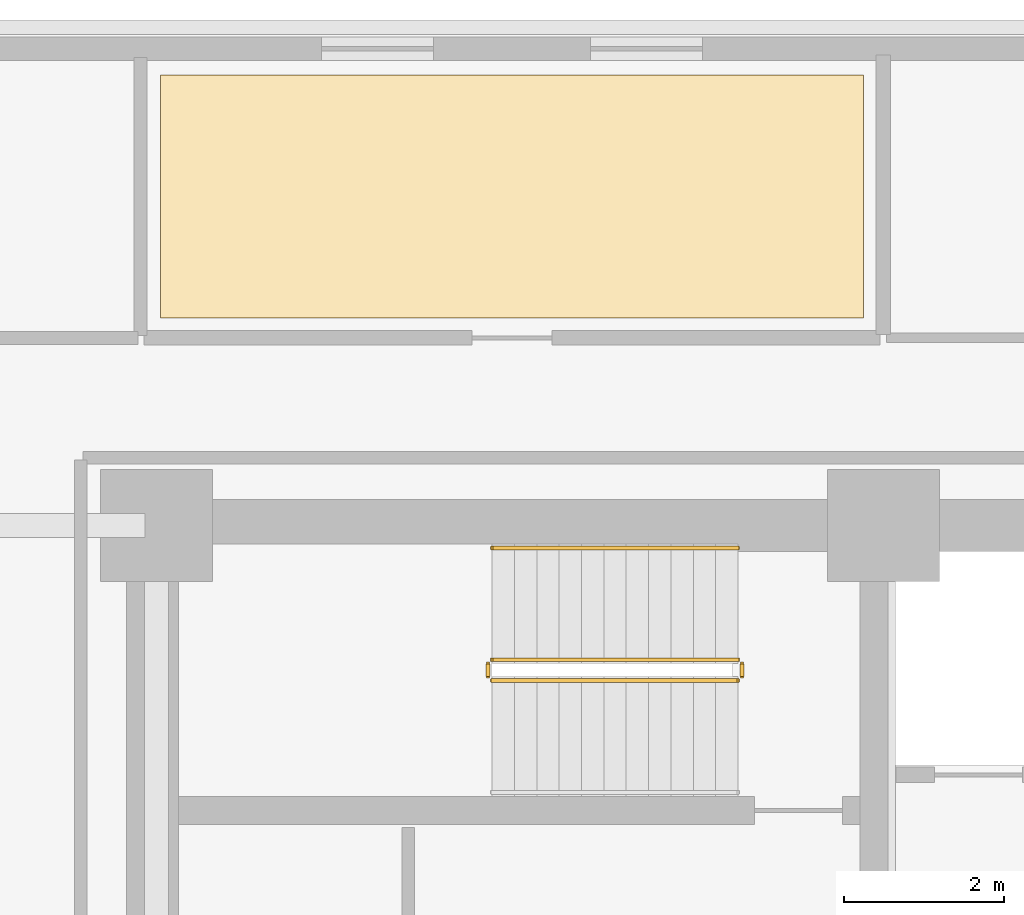
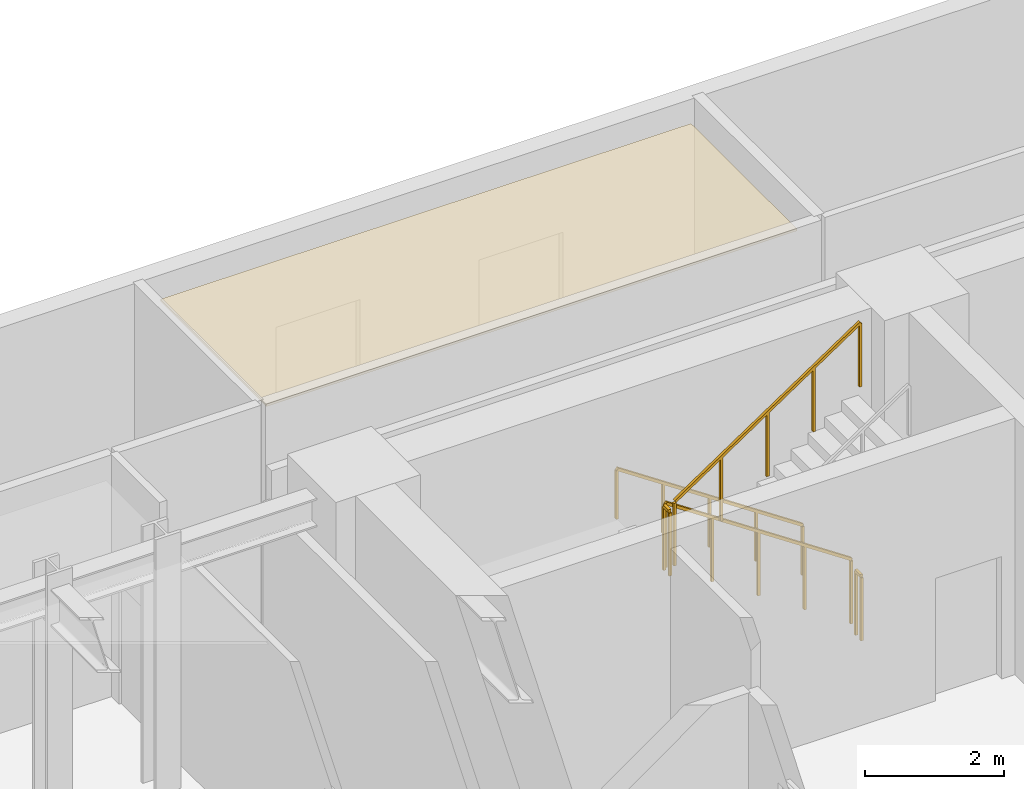
# One storey, part 13 of 14: 5 railings, 1 covering.
"""IFC4 building model written with IfcOpenShell, lengths in metres."""

from ifc_helpers import new_model, si_unit, direction, frame, origin, origin_2d, place, context, subcontext, project, spatial, polyline, rectangle, outline, extrude, material, layer, layer_set, type_object, element, save


model = new_model("IFC4")

# Units and contexts
model_context = context("Model", 3, precision=1e-05, world=origin(), true_north=direction((0.0, 1.0)))
body_context = subcontext(model_context, "Body", "Model", "MODEL_VIEW")
ifc_project = project(units=[si_unit("LENGTHUNIT", "METRE"), si_unit("AREAUNIT", "SQUARE_METRE"), si_unit("VOLUMEUNIT", "CUBIC_METRE"), si_unit("PLANEANGLEUNIT", "RADIAN"), si_unit("MASSUNIT", "GRAM", prefix="KILO")], contexts=[model_context])

# Site, building, storey
site_placement = place(None, origin())
site = spatial("IfcSite", under=ifc_project, at=site_placement, CompositionType="ELEMENT")
building_placement = place(site_placement, origin())
building = spatial("IfcBuilding", under=site, at=building_placement, Name="Zarnavel Station Tower", CompositionType="ELEMENT")
storey_placement = place(building_placement, frame((0.0, 0.0, 89.800048828125)))
storey = spatial("IfcBuildingStorey", under=building, at=storey_placement, Name="L24", CompositionType="ELEMENT", Elevation=89.800048828125)

# Covering
ifc_material_1 = material(Name="Perforated Gypsum and Mineral-Wool Acoustic Ceiling", Category="concrete")
ifc_layer = layer(ifc_material_1, 0.0400390625)
ifc_layer_set = layer_set([ifc_layer], Name="COV_CEIL_ACOUSTIC")
covering_type = type_object("IfcCoveringType", Name="COV_CEIL_ACOUSTIC", PredefinedType="CEILING", material=ifc_layer_set)
covering_placement = place(storey_placement, frame((0.0, 0.0, 3.919921875)))
element("IfcCovering", 1, at=covering_placement, inside=storey, type_object=covering_type, Name="L24 SLNP Acoustic Ceiling", PredefinedType="CEILING", context=body_context, shape_type="SweptSolid", body=[
    extrude(outline(polyline([(12.25, 39.64990234375), (21.050048828125, 39.64990234375), (21.050048828125, 42.68994140625), (12.25, 42.68994140625), (12.25, 39.64990234375)])), origin(), (0.0, 0.0, 1.0), 0.0400390625),
])

# Railings
ifc_material_2 = material(Name="Painted Steel S355J2 Balustrade", Category="steel")
railing_type_1 = type_object("IfcRailingType", Name="GR_INT_1150", PredefinedType="GUARDRAIL", material=ifc_material_2)
railing_1_placement = place(storey_placement, frame((19.47998046875, 35.3701171875, 0.1875)))
element("IfcRailing", 2, at=railing_1_placement, inside=storey, type_object=railing_type_1, Name="L24 ST1 stair guard 1", PredefinedType="GUARDRAIL", context=body_context, shape_type="SweptSolid", body=[
    extrude(rectangle(XDim=0.048095703125, YDim=0.048095703125, at=origin_2d()), frame((-0.001708984375, 0.0, 1.126953125), z_axis=(-0.830913701846, 0.0, 0.55640131208), x_axis=(0.0, -1.0, 0.0)), (0.0, 0.0, 1.0), 3.702880859375),
    extrude(rectangle(XDim=0.0419921875, YDim=0.0419921875, at=origin_2d()), origin(), (0.0, 0.0, 1.0), 1.101806640625),
    extrude(rectangle(XDim=0.0419921875, YDim=0.0419921875, at=origin_2d()), frame((-0.77001953125, 0.0, 0.515625)), (0.0, 0.0, 1.0), 1.101806640625),
    extrude(rectangle(XDim=0.0419921875, YDim=0.0419921875, at=origin_2d()), frame((-1.5400390625, 0.0, 1.03125)), (0.0, 0.0, 1.0), 1.101806640625),
    extrude(rectangle(XDim=0.0419921875, YDim=0.0419921875, at=origin_2d()), frame((-2.31005859375, 0.0, 1.546875)), (0.0, 0.0, 1.0), 1.101806640625),
    extrude(rectangle(XDim=0.0419921875, YDim=0.0419921875, at=origin_2d()), frame((-3.080078125, 0.0, 2.0625)), (0.0, 0.0, 1.0), 1.101806640625),
])
railing_2_placement = place(storey_placement, frame((16.35009765625, 35.320068359375, 2.25)))
element("IfcRailing", 3, at=railing_2_placement, inside=storey, type_object=railing_type_1, Name="L24 ST1 stair guard 2", PredefinedType="GUARDRAIL", context=body_context, shape_type="SweptSolid", body=[
    extrude(rectangle(XDim=0.048095703125, YDim=0.048095703125, at=origin_2d()), frame((0.0, -0.001953125, 1.1259765625), z_axis=(0.0, -1.0, 0.0), x_axis=(1.0, 0.0, 0.0)), (0.0, 0.0, 1.0), 0.15625),
    extrude(rectangle(XDim=0.0419921875, YDim=0.0419921875, at=origin_2d()), origin(), (0.0, 0.0, 1.0), 1.101806640625),
    extrude(rectangle(XDim=0.0419921875, YDim=0.0419921875, at=origin_2d()), frame((0.0, -0.16015625, 0.0)), (0.0, 0.0, 1.0), 1.101806640625),
])
railing_3_placement = place(storey_placement, frame((16.39990234375, 35.110107421875, 2.4375)))
element("IfcRailing", 4, at=railing_3_placement, inside=storey, type_object=railing_type_1, Name="L24 ST1 stair guard 3", PredefinedType="GUARDRAIL", context=body_context, shape_type="SweptSolid", body=[
    extrude(rectangle(XDim=0.048095703125, YDim=0.048095703125, at=origin_2d()), frame((0.001708984375, 0.0, 1.126953125), z_axis=(0.830913701846, 0.0, 0.55640131208), x_axis=(0.0, 1.0, 0.0)), (0.0, 0.0, 1.0), 3.702880859375),
    extrude(rectangle(XDim=0.0419921875, YDim=0.0419921875, at=origin_2d()), origin(), (0.0, 0.0, 1.0), 1.101806640625),
    extrude(rectangle(XDim=0.0419921875, YDim=0.0419921875, at=origin_2d()), frame((0.77001953125, 0.0, 0.515625)), (0.0, 0.0, 1.0), 1.101806640625),
    extrude(rectangle(XDim=0.0419921875, YDim=0.0419921875, at=origin_2d()), frame((1.5400390625, 0.0, 1.03125)), (0.0, 0.0, 1.0), 1.101806640625),
    extrude(rectangle(XDim=0.0419921875, YDim=0.0419921875, at=origin_2d()), frame((2.31005859375, 0.0, 1.546875)), (0.0, 0.0, 1.0), 1.101806640625),
    extrude(rectangle(XDim=0.0419921875, YDim=0.0419921875, at=origin_2d()), frame((3.080078125, 0.0, 2.0625)), (0.0, 0.0, 1.0), 1.101806640625),
])
railing_4_placement = place(storey_placement, frame((19.530029296875, 35.320068359375, 0.0)))
element("IfcRailing", 5, at=railing_4_placement, inside=storey, type_object=railing_type_1, Name="L24 ST1 stair guard 4", PredefinedType="GUARDRAIL", context=body_context, shape_type="SweptSolid", body=[
    extrude(rectangle(XDim=0.048095703125, YDim=0.048095703125, at=origin_2d()), frame((0.0, -0.001953125, 1.1259765625), z_axis=(0.0, -1.0, 0.0), x_axis=(1.0, 0.0, 0.0)), (0.0, 0.0, 1.0), 0.15625),
    extrude(rectangle(XDim=0.0419921875, YDim=0.0419921875, at=origin_2d()), origin(), (0.0, 0.0, 1.0), 1.101806640625),
    extrude(rectangle(XDim=0.0419921875, YDim=0.0419921875, at=origin_2d()), frame((0.0, -0.16015625, 0.0)), (0.0, 0.0, 1.0), 1.101806640625),
])
ifc_material_3 = material(Name="Brushed Stainless Steel S355J2 Handrail", Category="steel")
railing_type_2 = type_object("IfcRailingType", Name="HR_STAIR_900", PredefinedType="HANDRAIL", material=ifc_material_3)
railing_5_placement = place(storey_placement, frame((19.47998046875, 36.77001953125, 0.1875)))
element("IfcRailing", 6, at=railing_5_placement, inside=storey, type_object=railing_type_2, Name="L24 ST1 stair handrail 1", PredefinedType="HANDRAIL", context=body_context, shape_type="SweptSolid", body=[
    extrude(rectangle(XDim=0.048095703125, YDim=0.048095703125, at=origin_2d()), frame((-0.001708984375, 0.0, 0.876953125), z_axis=(-0.830913701846, 0.0, 0.55640131208), x_axis=(0.0, -1.0, 0.0)), (0.0, 0.0, 1.0), 3.702880859375),
    extrude(rectangle(XDim=0.0419921875, YDim=0.0419921875, at=origin_2d()), origin(), (0.0, 0.0, 1.0), 0.851806640625),
    extrude(rectangle(XDim=0.0419921875, YDim=0.0419921875, at=origin_2d()), frame((-0.77001953125, 0.0, 0.515625)), (0.0, 0.0, 1.0), 0.851806640625),
    extrude(rectangle(XDim=0.0419921875, YDim=0.0419921875, at=origin_2d()), frame((-1.5400390625, 0.0, 1.03125)), (0.0, 0.0, 1.0), 0.851806640625),
    extrude(rectangle(XDim=0.0419921875, YDim=0.0419921875, at=origin_2d()), frame((-2.31005859375, 0.0, 1.546875)), (0.0, 0.0, 1.0), 0.851806640625),
    extrude(rectangle(XDim=0.0419921875, YDim=0.0419921875, at=origin_2d()), frame((-3.080078125, 0.0, 2.0625)), (0.0, 0.0, 1.0), 0.851806640625),
])

save(model, "model.ifc")
